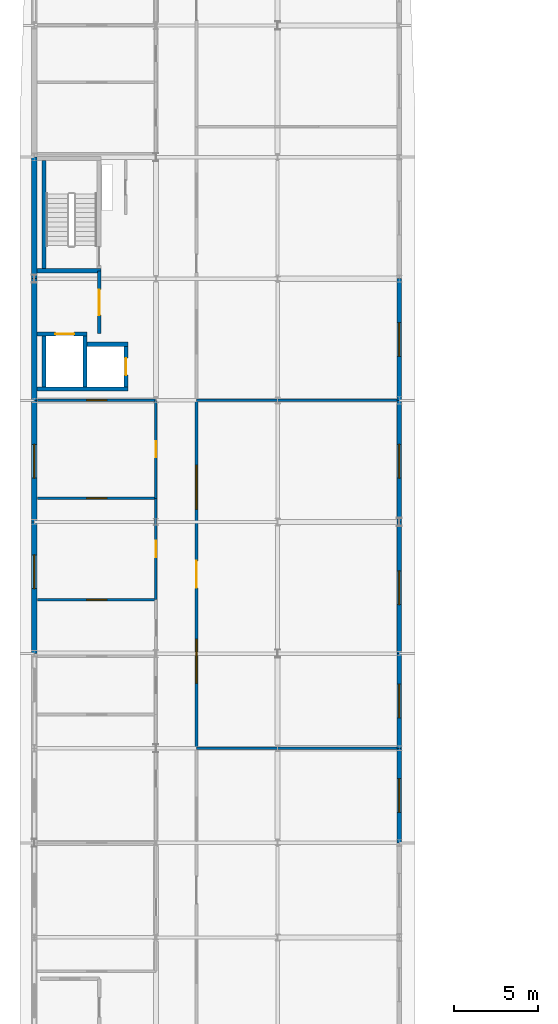
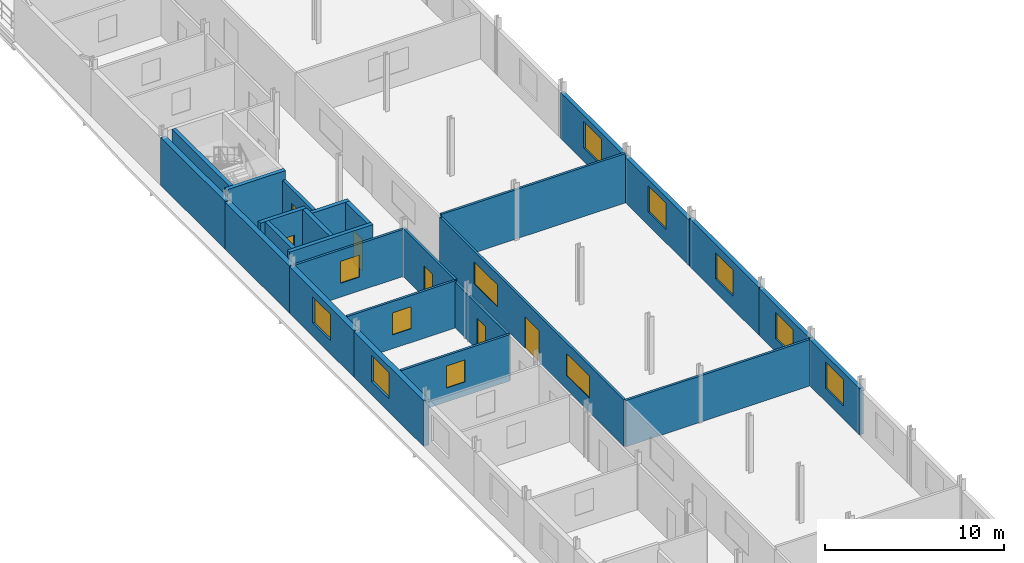
# One storey, part 13 of 17: 26 walls, 12 windows, 6 doors, 18 openings.
"""IFC4 building model written with IfcOpenShell, lengths in metres."""

from ifc_helpers import new_model, si_unit, direction, frame, frame_2d, origin, place, context, subcontext, project, spatial, rectangle, extrude, material, layer, layer_set, type_object, element, fill, save


model = new_model("IFC4")

# Units and contexts
model_context = context("Model", 3, precision=1e-05, world=origin(), true_north=direction((0.0, 1.0)))
body_context = subcontext(model_context, "Body", "Model", "MODEL_VIEW")
ifc_project = project(units=[si_unit("LENGTHUNIT", "METRE"), si_unit("AREAUNIT", "SQUARE_METRE"), si_unit("VOLUMEUNIT", "CUBIC_METRE"), si_unit("PLANEANGLEUNIT", "RADIAN"), si_unit("MASSUNIT", "GRAM", prefix="KILO")], contexts=[model_context])

# Site, building, storey
site_placement = place(None, origin())
site = spatial("IfcSite", under=ifc_project, at=site_placement, CompositionType="ELEMENT")
building_placement = place(site_placement, origin())
building = spatial("IfcBuilding", under=site, at=building_placement, Name="Vinh Khe Railworks Police Headquarters", CompositionType="ELEMENT")
storey_placement = place(building_placement, frame((0.0, 0.0, 24.89990234375)))
storey = spatial("IfcBuildingStorey", under=building, at=storey_placement, Name="L06", CompositionType="ELEMENT", Elevation=24.89990234375)

# Walls
ifc_material_1 = material(Name="Concrete C40/50 (B40)", Category="concrete")
ifc_layer_1 = layer(ifc_material_1, 0.25)
ifc_layer_set_1 = layer_set([ifc_layer_1], Name="Concrete C40/50 (B40)")
wall_type_1 = type_object("IfcWallType", Name="Core Shear Wall 250", PredefinedType="SHEAR", material=ifc_layer_set_1)
wall_1_placement = place(storey_placement, frame((0.75, 81.47509765625, 0.0), z_axis=(0.0, 0.0, 1.0), x_axis=(1.0, 0.0, 0.0)))
element("IfcWall", 1, at=wall_1_placement, inside=storey, type_object=wall_type_1, Name="Core C2 STAIR-S Shear Wall (L06)", PredefinedType="SHEAR", context=body_context, shape_type="SweptSolid", body=[
    extrude(rectangle(XDim=3.800048828125, YDim=0.25, at=frame_2d((1.89990234375, 0.0))), origin(), (0.0, 0.0, 1.0), 3.72021484375),
])
wall_2_placement = place(storey_placement, frame((1.175048828125, 81.60009765625, 0.0), z_axis=(0.0, 0.0, 1.0), x_axis=(0.0, 1.0, 0.0)))
element("IfcWall", 2, at=wall_2_placement, inside=storey, type_object=wall_type_1, Name="Core C2 STAIR-W Shear Wall (L06)", PredefinedType="SHEAR", context=body_context, shape_type="SweptSolid", body=[
    extrude(rectangle(XDim=6.39990234375, YDim=0.25, at=frame_2d((3.199951171875, 0.0))), origin(), (0.0, 0.0, 1.0), 3.72021484375),
])
wall_3_placement = place(storey_placement, frame((0.75, 74.47509765625, 0.0), z_axis=(0.0, 0.0, 1.0), x_axis=(1.0, 0.0, 0.0)))
element("IfcWall", 3, at=wall_3_placement, inside=storey, type_object=wall_type_1, Name="Core C2 FL-S Lift Shaft Wall (L06)", PredefinedType="SHEAR", context=body_context, shape_type="SweptSolid", body=[
    extrude(rectangle(XDim=5.39990234375, YDim=0.25, at=frame_2d((2.699951171875, 0.0))), origin(), (0.0, 0.0, 1.0), 3.72021484375),
])

# Wall, opening, door
wall_4_placement = place(storey_placement, frame((0.75, 77.72509765625, 0.0), z_axis=(0.0, 0.0, 1.0), x_axis=(1.0, 0.0, 0.0)))
wall_4 = element("IfcWall", 4, at=wall_4_placement, inside=storey, type_object=wall_type_1, Name="Core C2 FL-N Lift Shaft Wall (L06)", PredefinedType="SHEAR", context=body_context, shape_type="SweptSolid", body=[
    extrude(rectangle(XDim=2.97509765625, YDim=0.25, at=frame_2d((1.487548828125, 0.0))), origin(), (0.0, 0.0, 1.0), 3.72021484375),
])
opening_1_placement = place(wall_4_placement, frame((1.10009765625, 0.0, 0.0)))
opening_1 = element("IfcOpeningElement", 5, at=opening_1_placement, cuts=wall_4, Name="Opening LD-01", PredefinedType="OPENING", context=body_context, shape_type="SweptSolid", body=[
    extrude(rectangle(XDim=1.10009765625, YDim=2.14990234375, at=frame_2d((0.550048828125, 1.074951171875))), frame((0.0, 0.139892578125, 0.0), z_axis=(0.0, -1.0, 0.0), x_axis=(1.0, 0.0, 0.0)), (0.0, 0.0, 1.0), 0.27978515625),
])
ifc_material_2 = material(Name="Painted galvanised steel", Category="steel")
door_type_1 = type_object("IfcDoorType", Name="LD-FF-1100", OperationType="SLIDING_TO_LEFT", PredefinedType="DOOR", material=ifc_material_2)
door_1_placement = place(opening_1_placement, origin())
door_1 = element("IfcDoor", 6, at=door_1_placement, inside=storey, type_object=door_type_1, Name="Firefighting Lift Landing Door FL-02 L06", OperationType="SLIDING_TO_LEFT", OverallHeight=2.14990234375, OverallWidth=1.10009765625, PredefinedType="DOOR", context=body_context, shape_type="SweptSolid", body=[
    extrude(rectangle(XDim=1.10009765625, YDim=2.14990234375, at=frame_2d((0.550048828125, 1.074951171875))), frame((0.0, 0.02490234375, 0.0), z_axis=(0.0, -1.0, 0.0), x_axis=(1.0, 0.0, 0.0)), (0.0, 0.0, 1.0), 0.050048828125),
])
fill(opening_1, door_1)

# Walls
wall_5_placement = place(storey_placement, frame((3.72509765625, 77.125, 0.0), z_axis=(0.0, 0.0, 1.0), x_axis=(1.0, 0.0, 0.0)))
element("IfcWall", 7, at=wall_5_placement, inside=storey, type_object=wall_type_1, Name="Core C2 PL-N Lift Shaft Wall (L06)", PredefinedType="SHEAR", context=body_context, shape_type="SweptSolid", body=[
    extrude(rectangle(XDim=2.4248046875, YDim=0.25, at=frame_2d((1.21240234375, 0.0))), origin(), (0.0, 0.0, 1.0), 3.72021484375),
])
for number, where, z_axis, x_axis, name in (
    (8, (1.175048828125, 74.60009765625, 0.0), (0.0, 0.0, 1.0), (0.0, 1.0, 0.0), "Core C2 FL-W Lift Shaft Wall (L06)"),
    (9, (3.60009765625, 74.60009765625, 0.0), (0.0, 0.0, 1.0), (0.0, 1.0, 0.0), "Core C2 LIFT-DIV Lift Shaft Wall (L06)"),
):
    element("IfcWall", number, at=place(storey_placement, frame(where, z_axis=z_axis, x_axis=x_axis)), inside=storey, type_object=wall_type_1, Name=name, PredefinedType="SHEAR", context=body_context, shape_type="SweptSolid", body=[
        extrude(rectangle(XDim=3.0, YDim=0.25, at=frame_2d((1.5, 0.0))), origin(), (0.0, 0.0, 1.0), 3.72021484375),
    ])

# Wall, opening, door
wall_6_placement = place(storey_placement, frame((6.02490234375, 74.60009765625, 0.0), z_axis=(0.0, 0.0, 1.0), x_axis=(0.0, 1.0, 0.0)))
wall_6 = element("IfcWall", 10, at=wall_6_placement, inside=storey, type_object=wall_type_1, Name="Core C2 PL-E Lift Shaft Wall (L06)", PredefinedType="SHEAR", context=body_context, shape_type="SweptSolid", body=[
    extrude(rectangle(XDim=2.39990234375, YDim=0.25, at=frame_2d((1.199951171875, 0.0))), origin(), (0.0, 0.0, 1.0), 3.72021484375),
])
opening_2_placement = place(wall_6_placement, frame((0.699951171875, 0.0, 0.0)))
opening_2 = element("IfcOpeningElement", 11, at=opening_2_placement, cuts=wall_6, Name="Opening LD-02", PredefinedType="OPENING", context=body_context, shape_type="SweptSolid", body=[
    extrude(rectangle(XDim=1.0, YDim=2.14990234375, at=frame_2d((0.5, 1.074951171875))), frame((0.0, 0.139892578125, 0.0), z_axis=(0.0, -1.0, 0.0), x_axis=(1.0, 0.0, 0.0)), (0.0, 0.0, 1.0), 0.27978515625),
])
door_type_2 = type_object("IfcDoorType", Name="LD-PAX-1000", OperationType="SLIDING_TO_RIGHT", PredefinedType="DOOR", material=ifc_material_2)
door_2_placement = place(opening_2_placement, frame((1.0, 0.0, 0.0), z_axis=(0.0, 0.0, 1.0), x_axis=(-1.0, 0.0, 0.0)))
door_2 = element("IfcDoor", 12, at=door_2_placement, inside=storey, type_object=door_type_2, Name="Passenger Lift Landing Door PL-02 L06", OperationType="SLIDING_TO_RIGHT", OverallHeight=2.14990234375, OverallWidth=1.0, PredefinedType="DOOR", context=body_context, shape_type="SweptSolid", body=[
    extrude(rectangle(XDim=1.0, YDim=2.14990234375, at=frame_2d((0.5, 1.074951171875))), frame((0.0, 0.02490234375, 0.0), z_axis=(0.0, -1.0, 0.0), x_axis=(1.0, 0.0, 0.0)), (0.0, 0.0, 1.0), 0.050048828125),
])
fill(opening_2, door_2)

# Wall, opening, window
ifc_material_3 = material(Name="Clay brickwork", Category="masonry")
ifc_layer_2 = layer(ifc_material_3, 0.260009765625)
ifc_layer_set_2 = layer_set([ifc_layer_2], Name="Clay brickwork")
wall_type_2 = type_object("IfcWallType", Name="EW-BRK-260", PredefinedType="SOLIDWALL", material=ifc_layer_set_2)
wall_7_placement = place(storey_placement, frame((22.199951171875, 47.60009765625, 0.0), z_axis=(0.0, 0.0, 1.0), x_axis=(0.0, 1.0, 0.0)))
wall_7 = element("IfcWall", 13, at=wall_7_placement, inside=storey, type_object=wall_type_2, Name="Exterior Brick Wall EW-L06-V5E-06", PredefinedType="SOLIDWALL", context=body_context, shape_type="SweptSolid", body=[
    extrude(rectangle(XDim=5.599853515625, YDim=0.260009765625, at=frame_2d((2.7998046875, 0.0))), origin(), (0.0, 0.0, 1.0), 3.1650390625),
])
opening_3_placement = place(wall_7_placement, frame((1.800048828125, 0.0, 0.89990234375)))
opening_3 = element("IfcOpeningElement", 14, at=opening_3_placement, cuts=wall_7, Name="Opening WN-04", PredefinedType="OPENING", context=body_context, shape_type="SweptSolid", body=[
    extrude(rectangle(XDim=2.0, YDim=1.800048828125, at=frame_2d((1.0, 0.89990234375))), frame((0.0, 0.14501953125, 0.0), z_axis=(0.0, -1.0, 0.0), x_axis=(1.0, 0.0, 0.0)), (0.0, 0.0, 1.0), 0.289794921875),
])
ifc_material_4 = material(Name="Double-glazed solar-control glass in dark steel frame", Category="steel")
window_type_1 = type_object("IfcWindowType", Name="WIN-WN-04", PartitioningType="DOUBLE_PANEL_VERTICAL", PredefinedType="WINDOW", material=ifc_material_4)
window_1_placement = place(opening_3_placement, origin())
window_1 = element("IfcWindow", 15, at=window_1_placement, inside=storey, type_object=window_type_1, Name="Casement Window WN-04", OverallHeight=1.800048828125, OverallWidth=2.0, PartitioningType="SINGLE_PANEL", PredefinedType="WINDOW", context=body_context, shape_type="SweptSolid", body=[
    extrude(rectangle(XDim=2.0, YDim=1.800048828125, at=frame_2d((1.0, 0.89990234375))), frame((0.0, 0.030029296875, 0.0), z_axis=(0.0, -1.0, 0.0), x_axis=(1.0, 0.0, 0.0)), (0.0, 0.0, 1.0), 0.06005859375),
])
fill(opening_3, window_1)

wall_8_placement = place(storey_placement, frame((22.199951171875, 53.199951171875, 0.0), z_axis=(0.0, 0.0, 1.0), x_axis=(0.0, 1.0, 0.0)))
wall_8 = element("IfcWall", 16, at=wall_8_placement, inside=storey, type_object=wall_type_2, Name="Exterior Brick Wall EW-L06-V5E-07", PredefinedType="SOLIDWALL", context=body_context, shape_type="SweptSolid", body=[
    extrude(rectangle(XDim=5.60009765625, YDim=0.260009765625, at=frame_2d((2.800048828125, 0.0))), origin(), (0.0, 0.0, 1.0), 3.215087890625),
])
opening_4_placement = place(wall_8_placement, frame((1.800048828125, 0.0, 0.89990234375)))
opening_4 = element("IfcOpeningElement", 17, at=opening_4_placement, cuts=wall_8, Name="Opening WN-04", PredefinedType="OPENING", context=body_context, shape_type="SweptSolid", body=[
    extrude(rectangle(XDim=2.0, YDim=1.800048828125, at=frame_2d((1.0, 0.89990234375))), frame((0.0, 0.14501953125, 0.0), z_axis=(0.0, -1.0, 0.0), x_axis=(1.0, 0.0, 0.0)), (0.0, 0.0, 1.0), 0.289794921875),
])
window_2_placement = place(opening_4_placement, origin())
window_2 = element("IfcWindow", 18, at=window_2_placement, inside=storey, type_object=window_type_1, Name="Casement Window WN-04", OverallHeight=1.800048828125, OverallWidth=2.0, PartitioningType="SINGLE_PANEL", PredefinedType="WINDOW", context=body_context, shape_type="SweptSolid", body=[
    extrude(rectangle(XDim=2.0, YDim=1.800048828125, at=frame_2d((1.0, 0.89990234375))), frame((0.0, 0.030029296875, 0.0), z_axis=(0.0, -1.0, 0.0), x_axis=(1.0, 0.0, 0.0)), (0.0, 0.0, 1.0), 0.06005859375),
])
fill(opening_4, window_2)

wall_9_placement = place(storey_placement, frame((22.199951171875, 58.800048828125, 0.0), z_axis=(0.0, 0.0, 1.0), x_axis=(0.0, 1.0, 0.0)))
wall_9 = element("IfcWall", 19, at=wall_9_placement, inside=storey, type_object=wall_type_2, Name="Exterior Brick Wall EW-L06-V5E-08", PredefinedType="SOLIDWALL", context=body_context, shape_type="SweptSolid", body=[
    extrude(rectangle(XDim=7.800048828125, YDim=0.260009765625, at=frame_2d((3.89990234375, 0.0))), origin(), (0.0, 0.0, 1.0), 3.26513671875),
])
opening_5_placement = place(wall_9_placement, frame((2.89990234375, 0.0, 0.89990234375)))
opening_5 = element("IfcOpeningElement", 20, at=opening_5_placement, cuts=wall_9, Name="Opening WN-04", PredefinedType="OPENING", context=body_context, shape_type="SweptSolid", body=[
    extrude(rectangle(XDim=2.0, YDim=1.800048828125, at=frame_2d((1.0, 0.89990234375))), frame((0.0, 0.14501953125, 0.0), z_axis=(0.0, -1.0, 0.0), x_axis=(1.0, 0.0, 0.0)), (0.0, 0.0, 1.0), 0.289794921875),
])
window_3_placement = place(opening_5_placement, origin())
window_3 = element("IfcWindow", 21, at=window_3_placement, inside=storey, type_object=window_type_1, Name="Casement Window WN-04", OverallHeight=1.800048828125, OverallWidth=2.0, PartitioningType="SINGLE_PANEL", PredefinedType="WINDOW", context=body_context, shape_type="SweptSolid", body=[
    extrude(rectangle(XDim=2.0, YDim=1.800048828125, at=frame_2d((1.0, 0.89990234375))), frame((0.0, 0.030029296875, 0.0), z_axis=(0.0, -1.0, 0.0), x_axis=(1.0, 0.0, 0.0)), (0.0, 0.0, 1.0), 0.06005859375),
])
fill(opening_5, window_3)

wall_10_placement = place(storey_placement, frame((22.199951171875, 66.60009765625, 0.0), z_axis=(0.0, 0.0, 1.0), x_axis=(0.0, 1.0, 0.0)))
wall_10 = element("IfcWall", 22, at=wall_10_placement, inside=storey, type_object=wall_type_2, Name="Exterior Brick Wall EW-L06-V5E-09", PredefinedType="SOLIDWALL", context=body_context, shape_type="SweptSolid", body=[
    extrude(rectangle(XDim=7.199951171875, YDim=0.260009765625, at=frame_2d((3.60009765625, 0.0))), origin(), (0.0, 0.0, 1.0), 3.114990234375),
])
opening_6_placement = place(wall_10_placement, frame((2.60009765625, 0.0, 0.89990234375)))
opening_6 = element("IfcOpeningElement", 23, at=opening_6_placement, cuts=wall_10, Name="Opening WN-04", PredefinedType="OPENING", context=body_context, shape_type="SweptSolid", body=[
    extrude(rectangle(XDim=2.0, YDim=1.800048828125, at=frame_2d((1.0, 0.89990234375))), frame((0.0, 0.14501953125, 0.0), z_axis=(0.0, -1.0, 0.0), x_axis=(1.0, 0.0, 0.0)), (0.0, 0.0, 1.0), 0.289794921875),
])
window_4_placement = place(opening_6_placement, origin())
window_4 = element("IfcWindow", 24, at=window_4_placement, inside=storey, type_object=window_type_1, Name="Casement Window WN-04", OverallHeight=1.800048828125, OverallWidth=2.0, PartitioningType="SINGLE_PANEL", PredefinedType="WINDOW", context=body_context, shape_type="SweptSolid", body=[
    extrude(rectangle(XDim=2.0, YDim=1.800048828125, at=frame_2d((1.0, 0.89990234375))), frame((0.0, 0.030029296875, 0.0), z_axis=(0.0, -1.0, 0.0), x_axis=(1.0, 0.0, 0.0)), (0.0, 0.0, 1.0), 0.06005859375),
])
fill(opening_6, window_4)

wall_11_placement = place(storey_placement, frame((22.199951171875, 73.800048828125, 0.0), z_axis=(0.0, 0.0, 1.0), x_axis=(0.0, 1.0, 0.0)))
wall_11 = element("IfcWall", 25, at=wall_11_placement, inside=storey, type_object=wall_type_2, Name="Exterior Brick Wall EW-L06-V5E-10", PredefinedType="SOLIDWALL", context=body_context, shape_type="SweptSolid", body=[
    extrude(rectangle(XDim=7.199951171875, YDim=0.260009765625, at=frame_2d((3.60009765625, 0.0))), origin(), (0.0, 0.0, 1.0), 3.114990234375),
])
opening_7_placement = place(wall_11_placement, frame((2.60009765625, 0.0, 0.89990234375)))
opening_7 = element("IfcOpeningElement", 26, at=opening_7_placement, cuts=wall_11, Name="Opening WN-04", PredefinedType="OPENING", context=body_context, shape_type="SweptSolid", body=[
    extrude(rectangle(XDim=2.0, YDim=1.800048828125, at=frame_2d((1.0, 0.89990234375))), frame((0.0, 0.14501953125, 0.0), z_axis=(0.0, -1.0, 0.0), x_axis=(1.0, 0.0, 0.0)), (0.0, 0.0, 1.0), 0.289794921875),
])
window_5_placement = place(opening_7_placement, origin())
window_5 = element("IfcWindow", 27, at=window_5_placement, inside=storey, type_object=window_type_1, Name="Casement Window WN-04", OverallHeight=1.800048828125, OverallWidth=2.0, PartitioningType="SINGLE_PANEL", PredefinedType="WINDOW", context=body_context, shape_type="SweptSolid", body=[
    extrude(rectangle(XDim=2.0, YDim=1.800048828125, at=frame_2d((1.0, 0.89990234375))), frame((0.0, 0.030029296875, 0.0), z_axis=(0.0, -1.0, 0.0), x_axis=(1.0, 0.0, 0.0)), (0.0, 0.0, 1.0), 0.06005859375),
])
fill(opening_7, window_5)

ifc_layer_3 = layer(ifc_material_3, 0.340087890625)
ifc_layer_set_3 = layer_set([ifc_layer_3], Name="Clay brickwork")
wall_type_3 = type_object("IfcWallType", Name="EW-BRK-340", PredefinedType="SOLIDWALL", material=ifc_layer_set_3)
wall_12_placement = place(storey_placement, frame((0.60009765625, 58.800048828125, 0.0), z_axis=(0.0, 0.0, 1.0), x_axis=(0.0, 1.0, 0.0)))
wall_12 = element("IfcWall", 28, at=wall_12_placement, inside=storey, type_object=wall_type_3, Name="Exterior Brick Wall EW-L06-V5W-08", PredefinedType="SOLIDWALL", context=body_context, shape_type="SweptSolid", body=[
    extrude(rectangle(XDim=7.800048828125, YDim=0.340087890625, at=frame_2d((3.89990234375, 0.0))), origin(), (0.0, 0.0, 1.0), 3.114990234375),
])
opening_8_placement = place(wall_12_placement, frame((3.85009765625, 0.0, 0.89990234375)))
opening_8 = element("IfcOpeningElement", 29, at=opening_8_placement, cuts=wall_12, Name="Opening WN-04", PredefinedType="OPENING", context=body_context, shape_type="SweptSolid", body=[
    extrude(rectangle(XDim=2.0, YDim=1.800048828125, at=frame_2d((1.0, 0.89990234375))), frame((0.0, 0.18505859375, 0.0), z_axis=(0.0, -1.0, 0.0), x_axis=(1.0, 0.0, 0.0)), (0.0, 0.0, 1.0), 0.369873046875),
])
window_6_placement = place(opening_8_placement, origin())
window_6 = element("IfcWindow", 30, at=window_6_placement, inside=storey, type_object=window_type_1, Name="Casement Window WN-04", OverallHeight=1.800048828125, OverallWidth=2.0, PartitioningType="SINGLE_PANEL", PredefinedType="WINDOW", context=body_context, shape_type="SweptSolid", body=[
    extrude(rectangle(XDim=2.0, YDim=1.800048828125, at=frame_2d((1.0, 0.89990234375))), frame((0.0, 0.030029296875, 0.0), z_axis=(0.0, -1.0, 0.0), x_axis=(1.0, 0.0, 0.0)), (0.0, 0.0, 1.0), 0.06005859375),
])
fill(opening_8, window_6)

wall_13_placement = place(storey_placement, frame((0.60009765625, 66.60009765625, 0.0), z_axis=(0.0, 0.0, 1.0), x_axis=(0.0, 1.0, 0.0)))
wall_13 = element("IfcWall", 31, at=wall_13_placement, inside=storey, type_object=wall_type_3, Name="Exterior Brick Wall EW-L06-V5W-09", PredefinedType="SOLIDWALL", context=body_context, shape_type="SweptSolid", body=[
    extrude(rectangle(XDim=7.199951171875, YDim=0.340087890625, at=frame_2d((3.60009765625, 0.0))), origin(), (0.0, 0.0, 1.0), 3.1650390625),
])
opening_9_placement = place(wall_13_placement, frame((2.60009765625, 0.0, 0.89990234375)))
opening_9 = element("IfcOpeningElement", 32, at=opening_9_placement, cuts=wall_13, Name="Opening WN-04", PredefinedType="OPENING", context=body_context, shape_type="SweptSolid", body=[
    extrude(rectangle(XDim=2.0, YDim=1.800048828125, at=frame_2d((1.0, 0.89990234375))), frame((0.0, 0.18505859375, 0.0), z_axis=(0.0, -1.0, 0.0), x_axis=(1.0, 0.0, 0.0)), (0.0, 0.0, 1.0), 0.369873046875),
])
window_7_placement = place(opening_9_placement, origin())
window_7 = element("IfcWindow", 33, at=window_7_placement, inside=storey, type_object=window_type_1, Name="Casement Window WN-04", OverallHeight=1.800048828125, OverallWidth=2.0, PartitioningType="SINGLE_PANEL", PredefinedType="WINDOW", context=body_context, shape_type="SweptSolid", body=[
    extrude(rectangle(XDim=2.0, YDim=1.800048828125, at=frame_2d((1.0, 0.89990234375))), frame((0.0, 0.030029296875, 0.0), z_axis=(0.0, -1.0, 0.0), x_axis=(1.0, 0.0, 0.0)), (0.0, 0.0, 1.0), 0.06005859375),
])
fill(opening_9, window_7)

# Walls
wall_14_placement = place(storey_placement, frame((0.60009765625, 73.800048828125, 0.0), z_axis=(0.0, 0.0, 1.0), x_axis=(0.0, 1.0, 0.0)))
element("IfcWall", 34, at=wall_14_placement, inside=storey, type_object=wall_type_3, Name="Exterior Brick Wall EW-L06-V5W-10", PredefinedType="SOLIDWALL", context=body_context, shape_type="SweptSolid", body=[
    extrude(rectangle(XDim=7.199951171875, YDim=0.340087890625, at=frame_2d((3.60009765625, 0.0))), origin(), (0.0, 0.0, 1.0), 3.215087890625),
])
wall_15_placement = place(storey_placement, frame((0.60009765625, 81.0, 0.0), z_axis=(0.0, 0.0, 1.0), x_axis=(0.0, 1.0, 0.0)))
element("IfcWall", 35, at=wall_15_placement, inside=storey, type_object=wall_type_3, Name="Exterior Brick Wall EW-L06-V5W-11", PredefinedType="SOLIDWALL", context=body_context, shape_type="SweptSolid", body=[
    extrude(rectangle(XDim=7.199951171875, YDim=0.340087890625, at=frame_2d((3.60009765625, 0.0))), origin(), (0.0, 0.0, 1.0), 3.26513671875),
])

# Wall, opening, door
ifc_material_5 = material(Name="Autoclaved aerated concrete blockwork", Category="masonry")
ifc_layer_4 = layer(ifc_material_5, 0.199951171875)
ifc_layer_set_4 = layer_set([ifc_layer_4], Name="Autoclaved aerated concrete blockwork")
wall_type_4 = type_object("IfcWallType", Name="IW-BLK-200", PredefinedType="PARTITIONING", material=ifc_layer_set_4)
wall_16_placement = place(storey_placement, frame((4.449951171875, 77.75, 0.0), z_axis=(0.0, 0.0, 1.0), x_axis=(0.0, 1.0, 0.0)))
wall_16 = element("IfcWall", 36, at=wall_16_placement, inside=storey, type_object=wall_type_4, Name="Interior Partition W-FFL-C2-E-L06", PredefinedType="PARTITIONING", context=body_context, shape_type="SweptSolid", body=[
    extrude(rectangle(XDim=3.699951171875, YDim=0.199951171875, at=frame_2d((1.85009765625, 0.0))), origin(), (0.0, 0.0, 1.0), 3.114990234375),
])
opening_10_placement = place(wall_16_placement, frame((1.10009765625, 0.0, 0.0)))
opening_10 = element("IfcOpeningElement", 37, at=opening_10_placement, cuts=wall_16, Name="Opening FD-02", PredefinedType="OPENING", context=body_context, shape_type="SweptSolid", body=[
    extrude(rectangle(XDim=1.5, YDim=2.14990234375, at=frame_2d((0.75, 1.074951171875))), frame((0.0, 0.11474609375, 0.0), z_axis=(0.0, -1.0, 0.0), x_axis=(1.0, 0.0, 0.0)), (0.0, 0.0, 1.0), 0.229736328125),
])
door_type_3 = type_object("IfcDoorType", Name="FD-1500x2150", OperationType="DOUBLE_DOOR_SINGLE_SWING", PredefinedType="DOOR", material=ifc_material_2)
door_3_placement = place(opening_10_placement, origin())
door_3 = element("IfcDoor", 38, at=door_3_placement, inside=storey, type_object=door_type_3, Name="Firefighting Lobby Fire Door", OperationType="DOUBLE_DOOR_SINGLE_SWING", OverallHeight=2.14990234375, OverallWidth=1.5, PredefinedType="DOOR", context=body_context, shape_type="SweptSolid", body=[
    extrude(rectangle(XDim=1.5, YDim=2.14990234375, at=frame_2d((0.75, 1.074951171875))), frame((0.0, 0.02490234375, 0.0), z_axis=(0.0, -1.0, 0.0), x_axis=(1.0, 0.0, 0.0)), (0.0, 0.0, 1.0), 0.050048828125),
])
fill(opening_10, door_3)

# Wall, opening, window
ifc_material_6 = material(Name="Gypsum plasterboard on steel stud", Category="steel")
ifc_layer_5 = layer(ifc_material_6, 0.1201171875)
ifc_layer_set_5 = layer_set([ifc_layer_5], Name="Gypsum plasterboard on steel stud")
wall_type_5 = type_object("IfcWallType", Name="IW-PART-120", PredefinedType="PARTITIONING", material=ifc_layer_set_5)
wall_17_placement = place(storey_placement, frame((0.780029296875, 62.0, 0.0), z_axis=(0.0, 0.0, 1.0), x_axis=(1.0, 0.0, 0.0)))
wall_17 = element("IfcWall", 39, at=wall_17_placement, inside=storey, type_object=wall_type_5, Name="Interior Partition W-L06-V5-BUNK3-DIV", PredefinedType="PARTITIONING", context=body_context, shape_type="SweptSolid", body=[
    extrude(rectangle(XDim=7.02001953125, YDim=0.14990234375, at=frame_2d((3.510009765625, 0.0))), origin(), (0.0, 0.0, 1.0), 3.1650390625),
])
opening_11_placement = place(wall_17_placement, frame((2.909912109375, 0.0, 0.949951171875)))
opening_11 = element("IfcOpeningElement", 40, at=opening_11_placement, cuts=wall_17, Name="Opening WN-10", PredefinedType="OPENING", context=body_context, shape_type="SweptSolid", body=[
    extrude(rectangle(XDim=1.199951171875, YDim=1.5, at=frame_2d((0.60009765625, 0.75))), frame((0.0, 0.08984375, 0.0), z_axis=(0.0, -1.0, 0.0), x_axis=(1.0, 0.0, 0.0)), (0.0, 0.0, 1.0), 0.1796875),
])
window_type_2 = type_object("IfcWindowType", Name="WIN-WN-10", PartitioningType="SINGLE_PANEL", PredefinedType="WINDOW", material=ifc_material_4)
window_8_placement = place(opening_11_placement, origin())
window_8 = element("IfcWindow", 41, at=window_8_placement, inside=storey, type_object=window_type_2, Name="Interior Acoustic Vision Window WN-10", OverallHeight=1.5, OverallWidth=1.199951171875, PartitioningType="SINGLE_PANEL", PredefinedType="WINDOW", context=body_context, shape_type="SweptSolid", body=[
    extrude(rectangle(XDim=1.199951171875, YDim=1.5, at=frame_2d((0.60009765625, 0.75))), frame((0.0, 0.030029296875, 0.0), z_axis=(0.0, -1.0, 0.0), x_axis=(1.0, 0.0, 0.0)), (0.0, 0.0, 1.0), 0.06005859375),
])
fill(opening_11, window_8)

wall_18_placement = place(storey_placement, frame((0.780029296875, 68.0, 0.0), z_axis=(0.0, 0.0, 1.0), x_axis=(1.0, 0.0, 0.0)))
wall_18 = element("IfcWall", 42, at=wall_18_placement, inside=storey, type_object=wall_type_5, Name="Interior Partition W-L06-V5-BUNK4-DIV", PredefinedType="PARTITIONING", context=body_context, shape_type="SweptSolid", body=[
    extrude(rectangle(XDim=7.02001953125, YDim=0.14990234375, at=frame_2d((3.510009765625, 0.0))), origin(), (0.0, 0.0, 1.0), 3.215087890625),
])
opening_12_placement = place(wall_18_placement, frame((2.909912109375, 0.0, 0.949951171875)))
opening_12 = element("IfcOpeningElement", 43, at=opening_12_placement, cuts=wall_18, Name="Opening WN-10", PredefinedType="OPENING", context=body_context, shape_type="SweptSolid", body=[
    extrude(rectangle(XDim=1.199951171875, YDim=1.5, at=frame_2d((0.60009765625, 0.75))), frame((0.0, 0.08984375, 0.0), z_axis=(0.0, -1.0, 0.0), x_axis=(1.0, 0.0, 0.0)), (0.0, 0.0, 1.0), 0.1796875),
])
window_9_placement = place(opening_12_placement, origin())
window_9 = element("IfcWindow", 44, at=window_9_placement, inside=storey, type_object=window_type_2, Name="Interior Acoustic Vision Window WN-10", OverallHeight=1.5, OverallWidth=1.199951171875, PartitioningType="SINGLE_PANEL", PredefinedType="WINDOW", context=body_context, shape_type="SweptSolid", body=[
    extrude(rectangle(XDim=1.199951171875, YDim=1.5, at=frame_2d((0.60009765625, 0.75))), frame((0.0, 0.030029296875, 0.0), z_axis=(0.0, -1.0, 0.0), x_axis=(1.0, 0.0, 0.0)), (0.0, 0.0, 1.0), 0.06005859375),
])
fill(opening_12, window_9)

wall_19_placement = place(storey_placement, frame((0.780029296875, 73.800048828125, 0.0), z_axis=(0.0, 0.0, 1.0), x_axis=(1.0, 0.0, 0.0)))
wall_19 = element("IfcWall", 45, at=wall_19_placement, inside=storey, type_object=wall_type_5, Name="Interior Partition W-L06-V5-BUNK4-ENDN", PredefinedType="PARTITIONING", context=body_context, shape_type="SweptSolid", body=[
    extrude(rectangle(XDim=7.02001953125, YDim=0.14990234375, at=frame_2d((3.510009765625, 0.0))), origin(), (0.0, 0.0, 1.0), 3.215087890625),
])
opening_13_placement = place(wall_19_placement, frame((2.909912109375, 0.0, 0.949951171875)))
opening_13 = element("IfcOpeningElement", 46, at=opening_13_placement, cuts=wall_19, Name="Opening WN-10", PredefinedType="OPENING", context=body_context, shape_type="SweptSolid", body=[
    extrude(rectangle(XDim=1.199951171875, YDim=1.5, at=frame_2d((0.60009765625, 0.75))), frame((0.0, 0.08984375, 0.0), z_axis=(0.0, -1.0, 0.0), x_axis=(1.0, 0.0, 0.0)), (0.0, 0.0, 1.0), 0.1796875),
])
window_10_placement = place(opening_13_placement, origin())
window_10 = element("IfcWindow", 47, at=window_10_placement, inside=storey, type_object=window_type_2, Name="Interior Acoustic Vision Window WN-10", OverallHeight=1.5, OverallWidth=1.199951171875, PartitioningType="SINGLE_PANEL", PredefinedType="WINDOW", context=body_context, shape_type="SweptSolid", body=[
    extrude(rectangle(XDim=1.199951171875, YDim=1.5, at=frame_2d((0.60009765625, 0.75))), frame((0.0, 0.030029296875, 0.0), z_axis=(0.0, -1.0, 0.0), x_axis=(1.0, 0.0, 0.0)), (0.0, 0.0, 1.0), 0.06005859375),
])
fill(opening_13, window_10)

# Walls
wall_20_placement = place(storey_placement, frame((10.199951171875, 53.199951171875, 0.0), z_axis=(0.0, 0.0, 1.0), x_axis=(1.0, 0.0, 0.0)))
element("IfcWall", 48, at=wall_20_placement, inside=storey, type_object=wall_type_5, Name="Interior Partition W-L06-V5-IAGC-DIV", PredefinedType="PARTITIONING", context=body_context, shape_type="SweptSolid", body=[
    extrude(rectangle(XDim=11.860107421875, YDim=0.14990234375, at=frame_2d((5.93017578125, 0.0))), origin(), (0.0, 0.0, 1.0), 3.1650390625),
])
wall_21_placement = place(storey_placement, frame((10.199951171875, 73.800048828125, 0.0), z_axis=(0.0, 0.0, 1.0), x_axis=(1.0, 0.0, 0.0)))
element("IfcWall", 49, at=wall_21_placement, inside=storey, type_object=wall_type_5, Name="Interior Partition W-L06-V5-NARC3-DIV", PredefinedType="PARTITIONING", context=body_context, shape_type="SweptSolid", body=[
    extrude(rectangle(XDim=11.860107421875, YDim=0.14990234375, at=frame_2d((5.93017578125, 0.0))), origin(), (0.0, 0.0, 1.0), 3.364990234375),
])

# Wall, opening, door
ifc_material_7 = material(Name="Gypsum plasterboard on acoustic steel stud", Category="steel")
ifc_layer_6 = layer(ifc_material_7, 0.14990234375)
ifc_layer_set_6 = layer_set([ifc_layer_6], Name="Gypsum plasterboard on acoustic steel stud")
wall_type_6 = type_object("IfcWallType", Name="IW-PART-150", PredefinedType="PARTITIONING", material=ifc_layer_set_6)
wall_22_placement = place(storey_placement, frame((7.800048828125, 62.0, 0.0), z_axis=(0.0, 0.0, 1.0), x_axis=(0.0, 1.0, 0.0)))
wall_22 = element("IfcWall", 50, at=wall_22_placement, inside=storey, type_object=wall_type_6, Name="Interior Partition W-L06-V5-BUNK3-CW", PredefinedType="PARTITIONING", context=body_context, shape_type="SweptSolid", body=[
    extrude(rectangle(XDim=6.0, YDim=0.14990234375, at=frame_2d((3.0, 0.0))), origin(), (0.0, 0.0, 1.0), 3.114990234375),
])
opening_14_placement = place(wall_22_placement, frame((2.52490234375, 0.0, 0.0)))
opening_14 = element("IfcOpeningElement", 51, at=opening_14_placement, cuts=wall_22, Name="Opening D-01", PredefinedType="OPENING", context=body_context, shape_type="SweptSolid", body=[
    extrude(rectangle(XDim=0.949951171875, YDim=2.14990234375, at=frame_2d((0.47509765625, 1.074951171875))), frame((0.0, 0.08984375, 0.0), z_axis=(0.0, -1.0, 0.0), x_axis=(1.0, 0.0, 0.0)), (0.0, 0.0, 1.0), 0.1796875),
])
ifc_material_8 = material(Name="Seasoned hardwood timber", Category="wood")
door_type_4 = type_object("IfcDoorType", Name="ID-950x2150", OperationType="NOTDEFINED", PredefinedType="DOOR", material=ifc_material_8)
door_4_placement = place(opening_14_placement, origin())
door_4 = element("IfcDoor", 52, at=door_4_placement, inside=storey, type_object=door_type_4, Name="On-Call Duty Bunk Room 03 Door", OperationType="SINGLE_SWING_RIGHT", OverallHeight=2.14990234375, OverallWidth=0.949951171875, PredefinedType="DOOR", context=body_context, shape_type="SweptSolid", body=[
    extrude(rectangle(XDim=0.949951171875, YDim=2.14990234375, at=frame_2d((0.47509765625, 1.074951171875))), frame((0.0, 0.02490234375, 0.0), z_axis=(0.0, -1.0, 0.0), x_axis=(1.0, 0.0, 0.0)), (0.0, 0.0, 1.0), 0.050048828125),
])
fill(opening_14, door_4)

wall_23_placement = place(storey_placement, frame((7.800048828125, 68.0, 0.0), z_axis=(0.0, 0.0, 1.0), x_axis=(0.0, 1.0, 0.0)))
wall_23 = element("IfcWall", 53, at=wall_23_placement, inside=storey, type_object=wall_type_6, Name="Interior Partition W-L06-V5-BUNK4-CW", PredefinedType="PARTITIONING", context=body_context, shape_type="SweptSolid", body=[
    extrude(rectangle(XDim=5.800048828125, YDim=0.14990234375, at=frame_2d((2.89990234375, 0.0))), origin(), (0.0, 0.0, 1.0), 3.26513671875),
])
opening_15_placement = place(wall_23_placement, frame((2.425048828125, 0.0, 0.0)))
opening_15 = element("IfcOpeningElement", 54, at=opening_15_placement, cuts=wall_23, Name="Opening D-01", PredefinedType="OPENING", context=body_context, shape_type="SweptSolid", body=[
    extrude(rectangle(XDim=0.949951171875, YDim=2.14990234375, at=frame_2d((0.47509765625, 1.074951171875))), frame((0.0, 0.08984375, 0.0), z_axis=(0.0, -1.0, 0.0), x_axis=(1.0, 0.0, 0.0)), (0.0, 0.0, 1.0), 0.1796875),
])
door_5_placement = place(opening_15_placement, origin())
door_5 = element("IfcDoor", 55, at=door_5_placement, inside=storey, type_object=door_type_4, Name="On-Call Duty Bunk Room 04 Door", OperationType="SINGLE_SWING_LEFT", OverallHeight=2.14990234375, OverallWidth=0.949951171875, PredefinedType="DOOR", context=body_context, shape_type="SweptSolid", body=[
    extrude(rectangle(XDim=0.949951171875, YDim=2.14990234375, at=frame_2d((0.47509765625, 1.074951171875))), frame((0.0, 0.02490234375, 0.0), z_axis=(0.0, -1.0, 0.0), x_axis=(1.0, 0.0, 0.0)), (0.0, 0.0, 1.0), 0.050048828125),
])
fill(opening_15, door_5)

# Wall, openings, door, windows
wall_24_placement = place(storey_placement, frame((10.199951171875, 53.199951171875, 0.0), z_axis=(0.0, 0.0, 1.0), x_axis=(0.0, 1.0, 0.0)))
wall_24 = element("IfcWall", 56, at=wall_24_placement, inside=storey, type_object=wall_type_6, Name="Interior Partition W-L06-V5-IAGC-CE", PredefinedType="PARTITIONING", context=body_context, shape_type="SweptSolid", body=[
    extrude(rectangle(XDim=20.60009765625, YDim=0.14990234375, at=frame_2d((10.300048828125, 0.0))), origin(), (0.0, 0.0, 1.0), 3.1650390625),
])
opening_16_placement = place(wall_24_placement, frame((9.5, 0.0, 0.0)))
opening_16 = element("IfcOpeningElement", 57, at=opening_16_placement, cuts=wall_24, Name="Opening D-03", PredefinedType="OPENING", context=body_context, shape_type="SweptSolid", body=[
    extrude(rectangle(XDim=1.60009765625, YDim=2.14990234375, at=frame_2d((0.800048828125, 1.074951171875))), frame((0.0, 0.08984375, 0.0), z_axis=(0.0, -1.0, 0.0), x_axis=(1.0, 0.0, 0.0)), (0.0, 0.0, 1.0), 0.1796875),
])
opening_17_placement = place(wall_24_placement, frame((3.85009765625, 0.0, 0.949951171875)))
opening_17 = element("IfcOpeningElement", 58, at=opening_17_placement, cuts=wall_24, Name="Opening WN-07", PredefinedType="OPENING", context=body_context, shape_type="SweptSolid", body=[
    extrude(rectangle(XDim=2.60009765625, YDim=1.5, at=frame_2d((1.300048828125, 0.75))), frame((0.0, 0.08984375, 0.0), z_axis=(0.0, -1.0, 0.0), x_axis=(1.0, 0.0, 0.0)), (0.0, 0.0, 1.0), 0.1796875),
])
opening_18_placement = place(wall_24_placement, frame((14.14990234375, 0.0, 0.949951171875)))
opening_18 = element("IfcOpeningElement", 59, at=opening_18_placement, cuts=wall_24, Name="Opening WN-07", PredefinedType="OPENING", context=body_context, shape_type="SweptSolid", body=[
    extrude(rectangle(XDim=2.60009765625, YDim=1.5, at=frame_2d((1.300048828125, 0.75))), frame((0.0, 0.08984375, 0.0), z_axis=(0.0, -1.0, 0.0), x_axis=(1.0, 0.0, 0.0)), (0.0, 0.0, 1.0), 0.1796875),
])
door_type_5 = type_object("IfcDoorType", Name="ID-1600x2150", OperationType="DOUBLE_DOOR_SINGLE_SWING", PredefinedType="DOOR", material=ifc_material_2)
door_6_placement = place(opening_16_placement, origin())
door_6 = element("IfcDoor", 60, at=door_6_placement, inside=storey, type_object=door_type_5, Name="Inter-Agency Coordination Room Door", OperationType="DOUBLE_DOOR_SINGLE_SWING", OverallHeight=2.14990234375, OverallWidth=1.60009765625, PredefinedType="DOOR", context=body_context, shape_type="SweptSolid", body=[
    extrude(rectangle(XDim=1.60009765625, YDim=2.14990234375, at=frame_2d((0.800048828125, 1.074951171875))), frame((0.0, 0.02490234375, 0.0), z_axis=(0.0, -1.0, 0.0), x_axis=(1.0, 0.0, 0.0)), (0.0, 0.0, 1.0), 0.050048828125),
])
fill(opening_16, door_6)
window_type_3 = type_object("IfcWindowType", Name="WIN-WN-07", PartitioningType="DOUBLE_PANEL_HORIZONTAL", PredefinedType="WINDOW", material=ifc_material_4)
window_11_placement = place(opening_17_placement, origin())
window_11 = element("IfcWindow", 61, at=window_11_placement, inside=storey, type_object=window_type_3, Name="Interior Acoustic Vision Window WN-07", OverallHeight=1.5, OverallWidth=2.60009765625, PartitioningType="SINGLE_PANEL", PredefinedType="WINDOW", context=body_context, shape_type="SweptSolid", body=[
    extrude(rectangle(XDim=2.60009765625, YDim=1.5, at=frame_2d((1.300048828125, 0.75))), frame((0.0, 0.030029296875, 0.0), z_axis=(0.0, -1.0, 0.0), x_axis=(1.0, 0.0, 0.0)), (0.0, 0.0, 1.0), 0.06005859375),
])
fill(opening_17, window_11)
window_12_placement = place(opening_18_placement, origin())
window_12 = element("IfcWindow", 62, at=window_12_placement, inside=storey, type_object=window_type_3, Name="Interior Acoustic Vision Window WN-07", OverallHeight=1.5, OverallWidth=2.60009765625, PartitioningType="SINGLE_PANEL", PredefinedType="WINDOW", context=body_context, shape_type="SweptSolid", body=[
    extrude(rectangle(XDim=2.60009765625, YDim=1.5, at=frame_2d((1.300048828125, 0.75))), frame((0.0, 0.030029296875, 0.0), z_axis=(0.0, -1.0, 0.0), x_axis=(1.0, 0.0, 0.0)), (0.0, 0.0, 1.0), 0.06005859375),
])
fill(opening_18, window_12)

save(model, "model.ifc")
